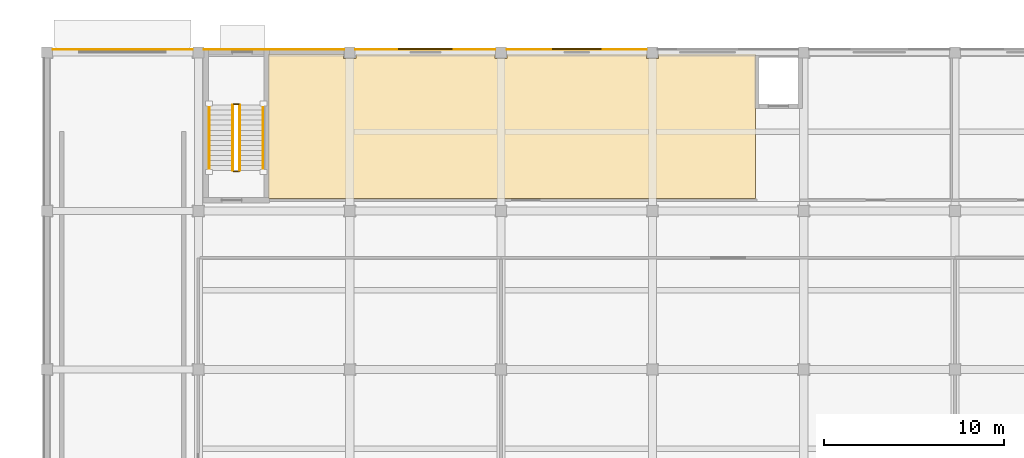
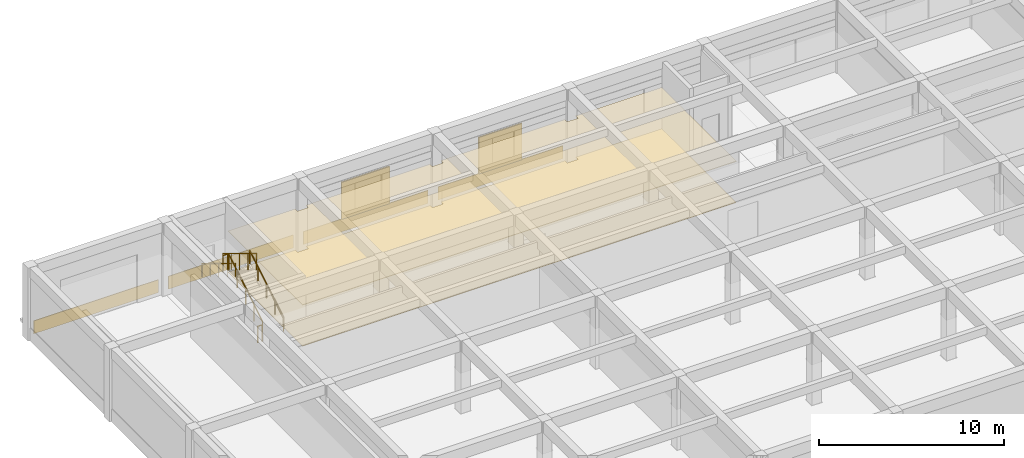
# One storey, part 52 of 58: 6 coverings, 6 railings, 2 shading devices.
"""IFC4 building model written with IfcOpenShell, lengths in metres."""

from ifc_helpers import new_model, si_unit, direction, frame, origin, origin_2d, place, context, subcontext, project, spatial, polyline, rectangle, circle, outline, extrude, material, layer, layer_set, type_object, element, save


model = new_model("IFC4")

# Units and contexts
model_context = context("Model", 3, precision=1e-05, world=origin(), true_north=direction((0.0, 1.0)))
body_context = subcontext(model_context, "Body", "Model", "MODEL_VIEW")
ifc_project = project(units=[si_unit("LENGTHUNIT", "METRE"), si_unit("AREAUNIT", "SQUARE_METRE"), si_unit("VOLUMEUNIT", "CUBIC_METRE"), si_unit("PLANEANGLEUNIT", "RADIAN"), si_unit("MASSUNIT", "GRAM", prefix="KILO")], contexts=[model_context])

# Site, building, storey
site_placement = place(None, origin())
site = spatial("IfcSite", under=ifc_project, at=site_placement, CompositionType="ELEMENT")
building_placement = place(site_placement, origin())
building = spatial("IfcBuilding", under=site, at=building_placement, Name="Kemercrest Conservatory and Botanical Centre", CompositionType="ELEMENT")
storey_placement = place(building_placement, origin())
storey = spatial("IfcBuildingStorey", under=building, at=storey_placement, Name="L00", CompositionType="ELEMENT", Elevation=0.0)

# Coverings
ifc_material_1 = material(Name="Honed limestone almasik ashlar rainscreen", Category="masonry")
ifc_layer_1 = layer(ifc_material_1, 0.0400390625)
ifc_layer_set_1 = layer_set([ifc_layer_1], Name="Honed limestone almasik ashlar rainscreen")
covering_type_1 = type_object("IfcCoveringType", Name="CV-CLD040", PredefinedType="CLADDING", material=ifc_layer_set_1)
covering_1_placement = place(storey_placement, origin())
element("IfcCovering", 1, at=covering_1_placement, inside=storey, type_object=covering_type_1, Name="Exterior stone spandrel cladding (WAL:L00:EXT-088)", PredefinedType="CLADDING", context=body_context, shape_type="SweptSolid", body=[
    extrude(outline(polyline([(41.2900390625, 122.550048828125), (41.2900390625, 122.590087890625), (33.510009765625, 122.590087890625), (33.510009765625, 122.550048828125), (41.2900390625, 122.550048828125)])), origin(), (0.0, 0.0, 1.0), 0.85009765625),
])
covering_2_placement = place(storey_placement, origin())
element("IfcCovering", 2, at=covering_2_placement, inside=storey, type_object=covering_type_1, Name="Exterior stone spandrel cladding (WAL:L00:EXT-089)", PredefinedType="CLADDING", context=body_context, shape_type="SweptSolid", body=[
    extrude(outline(polyline([(32.889892578125, 122.550048828125), (32.889892578125, 122.590087890625), (25.110107421875, 122.590087890625), (25.110107421875, 122.550048828125), (32.889892578125, 122.550048828125)])), origin(), (0.0, 0.0, 1.0), 0.85009765625),
])
covering_3_placement = place(storey_placement, origin())
element("IfcCovering", 3, at=covering_3_placement, inside=storey, type_object=covering_type_1, Name="Exterior stone spandrel cladding (WAL:L00:EXT-090)", PredefinedType="CLADDING", context=body_context, shape_type="SweptSolid", body=[
    extrude(outline(polyline([(24.489990234375, 122.550048828125), (24.489990234375, 122.590087890625), (16.7099609375, 122.590087890625), (16.7099609375, 122.550048828125), (24.489990234375, 122.550048828125)])), origin(), (0.0, 0.0, 1.0), 0.85009765625),
])
covering_4_placement = place(storey_placement, origin())
element("IfcCovering", 4, at=covering_4_placement, inside=storey, type_object=covering_type_1, Name="Exterior stone spandrel cladding (WAL:L00:EXT-091)", PredefinedType="CLADDING", context=body_context, shape_type="SweptSolid", body=[
    extrude(outline(polyline([(16.090087890625, 122.550048828125), (16.090087890625, 122.590087890625), (8.31005859375, 122.590087890625), (8.31005859375, 122.550048828125), (16.090087890625, 122.550048828125)])), origin(), (0.0, 0.0, 1.0), 0.85009765625),
])
ifc_material_2 = material(Name="Perforated acoustic gypsum and mineral-fibre suspended ceiling", Category="gypsum")
ifc_layer_2 = layer(ifc_material_2, 0.034912109375)
ifc_layer_set_2 = layer_set([ifc_layer_2], Name="Perforated acoustic gypsum and mineral-fibre suspended ceiling")
covering_type_2 = type_object("IfcCoveringType", Name="CV-CLG035", PredefinedType="CEILING", material=ifc_layer_set_2)
covering_5_placement = place(storey_placement, frame((0.0, 0.0, 2.699951171875)))
element("IfcCovering", 5, at=covering_5_placement, inside=storey, type_object=covering_type_2, Name="Botanical Orientation Gallery suspended acoustic ceiling", PredefinedType="CEILING", context=body_context, shape_type="SweptSolid", body=[
    extrude(outline(polyline([(20.280029296875, 114.280029296875), (47.320068359375, 114.280029296875), (47.320068359375, 122.320068359375), (41.93994140625, 122.320068359375), (41.93994140625, 122.06005859375), (41.260009765625, 122.06005859375), (41.260009765625, 122.320068359375), (33.5400390625, 122.320068359375), (33.5400390625, 122.06005859375), (32.860107421875, 122.06005859375), (32.860107421875, 122.320068359375), (25.139892578125, 122.320068359375), (25.139892578125, 122.06005859375), (24.4599609375, 122.06005859375), (24.4599609375, 122.320068359375), (20.280029296875, 122.320068359375), (20.280029296875, 114.280029296875)])), origin(), (0.0, 0.0, 1.0), 0.03515625),
])
ifc_material_3 = material(Name="Polished limestone terrazzo and seamless laboratory epoxy flooring", Category="masonry")
ifc_layer_3 = layer(ifc_material_3, 0.02001953125)
ifc_layer_set_3 = layer_set([ifc_layer_3], Name="Polished limestone terrazzo and seamless laboratory epoxy flooring")
covering_type_3 = type_object("IfcCoveringType", Name="CV-FLR020", PredefinedType="FLOORING", material=ifc_layer_set_3)
covering_6_placement = place(storey_placement, origin())
element("IfcCovering", 6, at=covering_6_placement, inside=storey, type_object=covering_type_3, Name="Botanical Orientation Gallery floor finish", PredefinedType="FLOORING", context=body_context, shape_type="SweptSolid", body=[
    extrude(outline(polyline([(20.280029296875, 114.280029296875), (47.320068359375, 114.280029296875), (47.320068359375, 122.320068359375), (41.93994140625, 122.320068359375), (41.93994140625, 122.06005859375), (41.260009765625, 122.06005859375), (41.260009765625, 122.320068359375), (33.5400390625, 122.320068359375), (33.5400390625, 122.06005859375), (32.860107421875, 122.06005859375), (32.860107421875, 122.320068359375), (25.139892578125, 122.320068359375), (25.139892578125, 122.06005859375), (24.4599609375, 122.06005859375), (24.4599609375, 122.320068359375), (20.280029296875, 122.320068359375), (20.280029296875, 114.280029296875)])), origin(), (0.0, 0.0, 1.0), 0.02001953125),
])

# Railings
ifc_material_4 = material(Name="Painted galvanized steel tubular stair guardrail", Category="steel")
railing_type_1 = type_object("IfcRailingType", Name="GR-STR110", PredefinedType="GUARDRAIL", material=ifc_material_4)
railing_1_placement = place(storey_placement, frame((18.68994140625, 115.840087890625, 0.17138671875)))
element("IfcRailing", 7, at=railing_1_placement, inside=storey, type_object=railing_type_1, Name="L00 ST-V3A stair guard 1", PredefinedType="GUARDRAIL", context=body_context, shape_type="SweptSolid", body=[
    extrude(circle(Radius=0.02392578125, at=origin_2d()), frame((0.0, 0.0, 1.076171875), z_axis=(0.0, 0.852850264322, 0.5221555579), x_axis=(-1.0, 0.0, 0.0)), (0.0, 0.0, 1.0), 4.267822265625),
    extrude(circle(Radius=0.02099609375, at=origin_2d()), origin(), (0.0, 0.0, 1.0), 1.052001953125),
    extrude(circle(Radius=0.02099609375, at=origin_2d()), frame((0.0, 0.909912109375, 0.55712890625)), (0.0, 0.0, 1.0), 1.052001953125),
    extrude(circle(Radius=0.02099609375, at=origin_2d()), frame((0.0, 1.81982421875, 1.1142578125)), (0.0, 0.0, 1.0), 1.052001953125),
    extrude(circle(Radius=0.02099609375, at=origin_2d()), frame((0.0, 2.72998046875, 1.67138671875)), (0.0, 0.0, 1.0), 1.052001953125),
    extrude(circle(Radius=0.02099609375, at=origin_2d()), frame((0.0, 3.639892578125, 2.228515625)), (0.0, 0.0, 1.0), 1.052001953125),
])
railing_2_placement = place(storey_placement, frame((18.639892578125, 119.530029296875, 2.39990234375)))
element("IfcRailing", 8, at=railing_2_placement, inside=storey, type_object=railing_type_1, Name="L00 ST-V3A stair guard 2", PredefinedType="GUARDRAIL", context=body_context, shape_type="SweptSolid", body=[
    extrude(circle(Radius=0.02392578125, at=origin_2d()), frame((0.0, 0.0, 1.076171875), z_axis=(-1.0, 0.0, 0.0), x_axis=(0.0, -1.0, 0.0)), (0.0, 0.0, 1.0), 0.27978515625),
    extrude(circle(Radius=0.02099609375, at=origin_2d()), origin(), (0.0, 0.0, 1.0), 1.052001953125),
    extrude(circle(Radius=0.02099609375, at=origin_2d()), frame((-0.27978515625, 0.0, 0.0)), (0.0, 0.0, 1.0), 1.052001953125),
])
railing_3_placement = place(storey_placement, frame((18.31005859375, 119.47998046875, 2.571533203125)))
element("IfcRailing", 9, at=railing_3_placement, inside=storey, type_object=railing_type_1, Name="L00 ST-V3A stair guard 3", PredefinedType="GUARDRAIL", context=body_context, shape_type="SweptSolid", body=[
    extrude(circle(Radius=0.02392578125, at=origin_2d()), frame((0.0, 0.0, 1.076171875), z_axis=(0.0, -0.852850264322, 0.5221555579), x_axis=(1.0, 0.0, 0.0)), (0.0, 0.0, 1.0), 4.267822265625),
    extrude(circle(Radius=0.02099609375, at=origin_2d()), origin(), (0.0, 0.0, 1.0), 1.052001953125),
    extrude(circle(Radius=0.02099609375, at=origin_2d()), frame((0.0, -0.909912109375, 0.55712890625)), (0.0, 0.0, 1.0), 1.052001953125),
    extrude(circle(Radius=0.02099609375, at=origin_2d()), frame((0.0, -1.81982421875, 1.1142578125)), (0.0, 0.0, 1.0), 1.052001953125),
    extrude(circle(Radius=0.02099609375, at=origin_2d()), frame((0.0, -2.72998046875, 1.67138671875)), (0.0, 0.0, 1.0), 1.052001953125),
    extrude(circle(Radius=0.02099609375, at=origin_2d()), frame((0.0, -3.639892578125, 2.228515625)), (0.0, 0.0, 1.0), 1.052001953125),
])
railing_4_placement = place(storey_placement, frame((18.639892578125, 115.7900390625, 0.0)))
element("IfcRailing", 10, at=railing_4_placement, inside=storey, type_object=railing_type_1, Name="L00 ST-V3A stair guard 4", PredefinedType="GUARDRAIL", context=body_context, shape_type="SweptSolid", body=[
    extrude(circle(Radius=0.02392578125, at=origin_2d()), frame((0.0, 0.0, 1.076171875), z_axis=(-1.0, 0.0, 0.0), x_axis=(0.0, -1.0, 0.0)), (0.0, 0.0, 1.0), 0.27978515625),
    extrude(circle(Radius=0.02099609375, at=origin_2d()), origin(), (0.0, 0.0, 1.0), 1.052001953125),
    extrude(circle(Radius=0.02099609375, at=origin_2d()), frame((-0.27978515625, 0.0, 0.0)), (0.0, 0.0, 1.0), 1.052001953125),
])
ifc_material_5 = material(Name="Brushed stainless steel wall-mounted handrail", Category="steel")
railing_type_2 = type_object("IfcRailingType", Name="HR-STR090", PredefinedType="HANDRAIL", material=ifc_material_5)
railing_5_placement = place(storey_placement, frame((19.989990234375, 115.840087890625, 0.17138671875)))
element("IfcRailing", 11, at=railing_5_placement, inside=storey, type_object=railing_type_2, Name="L00 ST-V3A stair handrail 1", PredefinedType="HANDRAIL", context=body_context, shape_type="SweptSolid", body=[
    extrude(circle(Radius=0.02392578125, at=origin_2d()), frame((0.0, 0.0, 0.8759765625), z_axis=(0.0, 0.852850264322, 0.5221555579), x_axis=(-1.0, 0.0, 0.0)), (0.0, 0.0, 1.0), 4.267822265625),
    extrude(circle(Radius=0.02099609375, at=origin_2d()), origin(), (0.0, 0.0, 1.0), 0.851806640625),
    extrude(circle(Radius=0.02099609375, at=origin_2d()), frame((0.0, 0.909912109375, 0.55712890625)), (0.0, 0.0, 1.0), 0.851806640625),
    extrude(circle(Radius=0.02099609375, at=origin_2d()), frame((0.0, 1.81982421875, 1.1142578125)), (0.0, 0.0, 1.0), 0.851806640625),
    extrude(circle(Radius=0.02099609375, at=origin_2d()), frame((0.0, 2.72998046875, 1.67138671875)), (0.0, 0.0, 1.0), 0.851806640625),
    extrude(circle(Radius=0.02099609375, at=origin_2d()), frame((0.0, 3.639892578125, 2.228515625)), (0.0, 0.0, 1.0), 0.851806640625),
])
railing_6_placement = place(storey_placement, frame((17.010009765625, 119.47998046875, 2.571533203125)))
element("IfcRailing", 12, at=railing_6_placement, inside=storey, type_object=railing_type_2, Name="L00 ST-V3A stair handrail 2", PredefinedType="HANDRAIL", context=body_context, shape_type="SweptSolid", body=[
    extrude(circle(Radius=0.02392578125, at=origin_2d()), frame((0.0, 0.0, 0.8759765625), z_axis=(0.0, -0.852850264322, 0.5221555579), x_axis=(1.0, 0.0, 0.0)), (0.0, 0.0, 1.0), 4.267822265625),
    extrude(circle(Radius=0.02099609375, at=origin_2d()), origin(), (0.0, 0.0, 1.0), 0.851806640625),
    extrude(circle(Radius=0.02099609375, at=origin_2d()), frame((0.0, -0.909912109375, 0.55712890625)), (0.0, 0.0, 1.0), 0.851806640625),
    extrude(circle(Radius=0.02099609375, at=origin_2d()), frame((0.0, -1.81982421875, 1.1142578125)), (0.0, 0.0, 1.0), 0.851806640625),
    extrude(circle(Radius=0.02099609375, at=origin_2d()), frame((0.0, -2.72998046875, 1.67138671875)), (0.0, 0.0, 1.0), 0.851806640625),
    extrude(circle(Radius=0.02099609375, at=origin_2d()), frame((0.0, -3.639892578125, 2.228515625)), (0.0, 0.0, 1.0), 0.851806640625),
])

# Shading devices
ifc_material_6 = material(Name="Perforated bronze-anodized aluminium", Category="aluminium")
shading_device_type_1 = type_object("IfcShadingDeviceType", Name="SH-MS04", PredefinedType="USERDEFINED", material=ifc_material_6)
shading_device_1_placement = place(storey_placement, frame((37.39990234375, 122.587890625, 0.820068359375), z_axis=(0.0, 0.0, 1.0), x_axis=(-1.0, 0.0, 0.0)))
element("IfcShadingDevice", 13, at=shading_device_1_placement, inside=storey, type_object=shading_device_type_1, Name="Ottoman mashrabiya perforated screen SH-MS04 (WIN:L00:EXT-088)", ObjectType="MASHRABIYA SCREEN", PredefinedType="USERDEFINED", context=body_context, shape_type="SweptSolid", body=[
    extrude(rectangle(XDim=2.699951171875, YDim=0.080078125, at=origin_2d()), origin(), (0.0, 0.0, 1.0), 2.39990234375),
])
shading_device_type_2 = type_object("IfcShadingDeviceType", Name="SH-MS05", PredefinedType="USERDEFINED", material=ifc_material_6)
shading_device_2_placement = place(storey_placement, frame((29.0, 122.587890625, 0.820068359375), z_axis=(0.0, 0.0, 1.0), x_axis=(-1.0, 0.0, 0.0)))
element("IfcShadingDevice", 14, at=shading_device_2_placement, inside=storey, type_object=shading_device_type_2, Name="Ottoman mashrabiya perforated screen SH-MS05 (WIN:L00:EXT-089)", ObjectType="MASHRABIYA SCREEN", PredefinedType="USERDEFINED", context=body_context, shape_type="SweptSolid", body=[
    extrude(rectangle(XDim=3.0, YDim=0.080078125, at=origin_2d()), origin(), (0.0, 0.0, 1.0), 2.43994140625),
])

save(model, "model.ifc")
